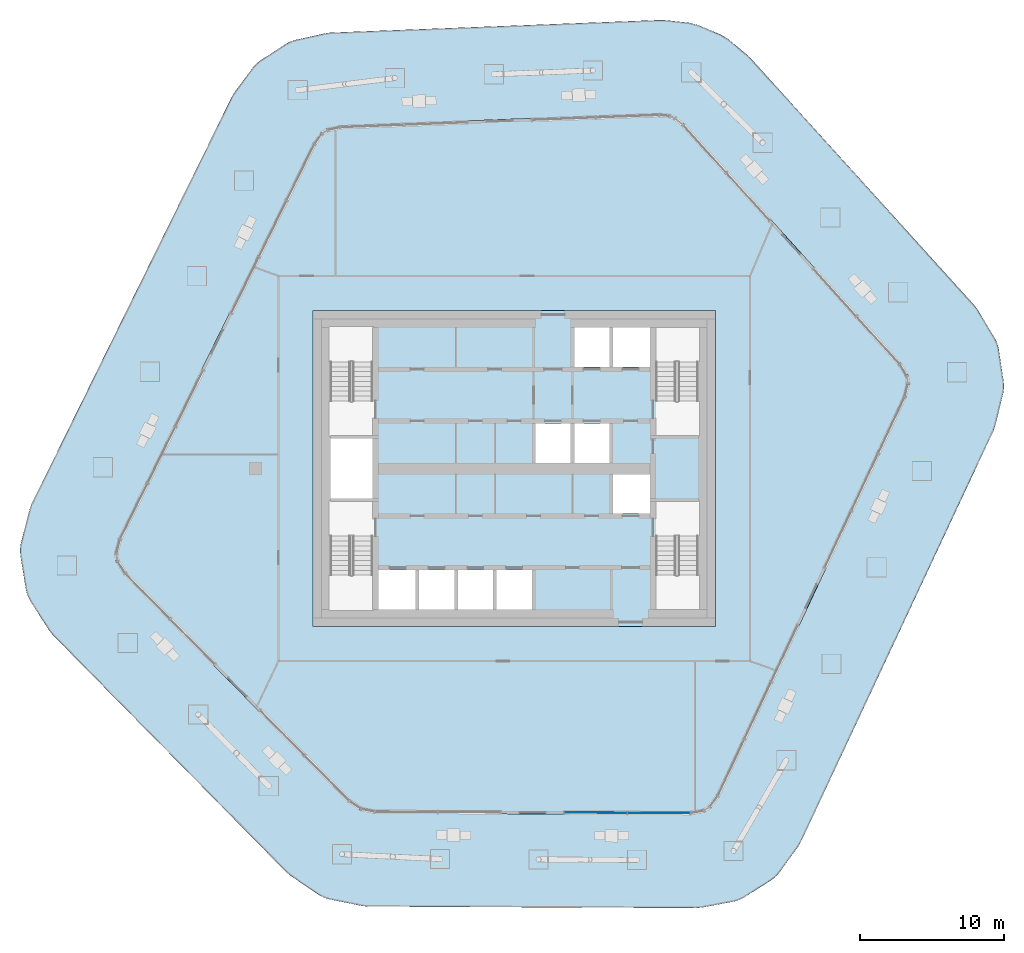
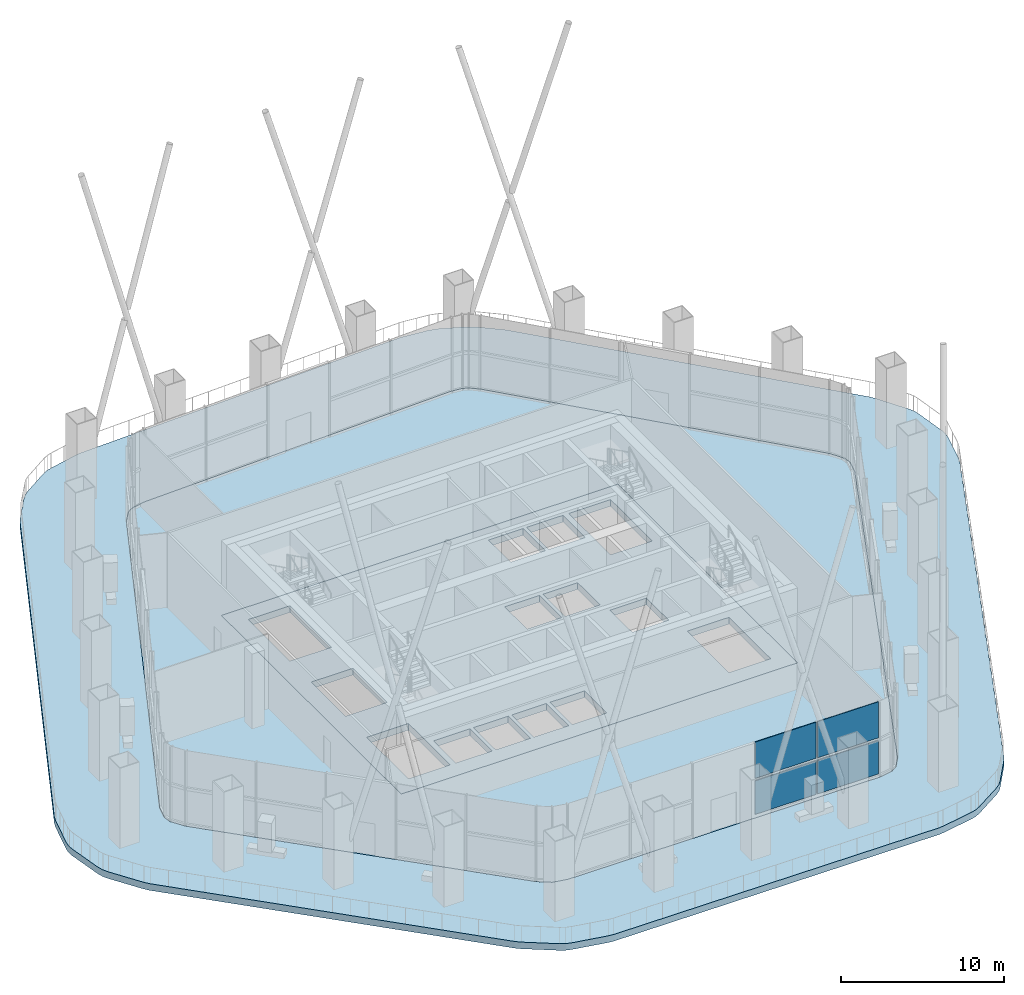
# One storey, part 8 of 20: 4 plates, 3 slabs, 1 element without a shape of its own.
"""IFC4 building model written with IfcOpenShell, lengths in metres."""

from ifc_helpers import new_model, si_unit, direction, frame, origin, origin_2d, place, context, subcontext, project, spatial, polyline, rectangle, outline, extrude, material, layer, layer_set, type_object, element, aggregate, save


model = new_model("IFC4")

# Units and contexts
model_context = context("Model", 3, precision=1e-05, world=origin(), true_north=direction((0.0, 1.0)))
body_context = subcontext(model_context, "Body", "Model", "MODEL_VIEW")
ifc_project = project(units=[si_unit("LENGTHUNIT", "METRE"), si_unit("AREAUNIT", "SQUARE_METRE"), si_unit("VOLUMEUNIT", "CUBIC_METRE"), si_unit("PLANEANGLEUNIT", "RADIAN"), si_unit("MASSUNIT", "GRAM", prefix="KILO")], contexts=[model_context])

# Site, building, storey
site_placement = place(None, origin())
site = spatial("IfcSite", under=ifc_project, at=site_placement, CompositionType="ELEMENT")
building_placement = place(site_placement, origin())
building = spatial("IfcBuilding", under=site, at=building_placement, Name="Dongbaek Canopy Tower", CompositionType="ELEMENT")
storey_placement = place(building_placement, frame((0.0, 0.0, 353.0)))
storey = spatial("IfcBuildingStorey", under=building, at=storey_placement, Name="L76", CompositionType="ELEMENT", Elevation=353.0)

# Curtain wall, plates
ifc_material_1 = material(Name="Aluminium 6063-T6 pale anodised", Category="aluminium")
ifc_layer_1 = layer(ifc_material_1, 0.300048828125)
ifc_layer_set_1 = layer_set([ifc_layer_1], Name="CW-5 observation lounge curtain wall")
curtain_wall_type = type_object("IfcCurtainWallType", Name="CW-5 observation lounge curtain wall", PredefinedType="NOTDEFINED", material=ifc_layer_set_1)
curtain_wall_placement = place(storey_placement, origin())
curtain_wall = element("IfcCurtainWall", 1, at=curtain_wall_placement, inside=storey, type_object=curtain_wall_type, Name="CW-5 curtain wall F4.2", PredefinedType="NOTDEFINED")
ifc_material_2 = material(Name="Clear laminated glass", Category="glass")
ifc_layer_2 = layer(ifc_material_2, 0.0400390625)
ifc_layer_set_2 = layer_set([ifc_layer_2], Name="CW-5 glazed panel 40")
plate_type = type_object("IfcPlateType", Name="CW-5 glazed panel 40", PredefinedType="CURTAIN_PANEL", material=ifc_layer_set_2)
plate_1_placement = place(storey_placement, frame((5.673095703125, -23.943359375, 0.199951171875), z_axis=(0.0, 0.0, 1.0), x_axis=(0.999990026875, -0.0044661113, 0.0)))
plate_1 = element("IfcPlate", 2, at=plate_1_placement, type_object=plate_type, Name="CW-5 panel F4.2.1.1", PredefinedType="CURTAIN_PANEL", context=body_context, shape_type="SweptSolid", body=[
    extrude(rectangle(XDim=4.291259765625, YDim=0.0400390625, at=origin_2d()), origin(), (0.0, 0.0, 1.0), 2.5),
])
plate_2_placement = place(storey_placement, frame((5.673095703125, -23.943359375, 2.89990234375), z_axis=(0.0, 0.0, 1.0), x_axis=(0.999990026875, -0.0044661113, 0.0)))
plate_2 = element("IfcPlate", 3, at=plate_2_placement, type_object=plate_type, Name="CW-5 panel F4.2.1.2", PredefinedType="CURTAIN_PANEL", context=body_context, shape_type="SweptSolid", body=[
    extrude(rectangle(XDim=4.291259765625, YDim=0.0400390625, at=origin_2d()), origin(), (0.0, 0.0, 1.0), 2.699951171875),
])
plate_3_placement = place(storey_placement, frame((10.063720703125, -23.962890625, 0.199951171875), z_axis=(0.0, 0.0, 1.0), x_axis=(0.999990026875, -0.0044661113, 0.0)))
plate_3 = element("IfcPlate", 4, at=plate_3_placement, type_object=plate_type, Name="CW-5 panel F4.2.2.1", PredefinedType="CURTAIN_PANEL", context=body_context, shape_type="SweptSolid", body=[
    extrude(rectangle(XDim=4.28173828125, YDim=0.0400390625, at=origin_2d()), origin(), (0.0, 0.0, 1.0), 2.5),
])
plate_4_placement = place(storey_placement, frame((10.063720703125, -23.962890625, 2.89990234375), z_axis=(0.0, 0.0, 1.0), x_axis=(0.999990026875, -0.0044661113, 0.0)))
plate_4 = element("IfcPlate", 5, at=plate_4_placement, type_object=plate_type, Name="CW-5 panel F4.2.2.2", PredefinedType="CURTAIN_PANEL", context=body_context, shape_type="SweptSolid", body=[
    extrude(rectangle(XDim=4.28173828125, YDim=0.0400390625, at=origin_2d()), origin(), (0.0, 0.0, 1.0), 2.699951171875),
])
aggregate(curtain_wall, [plate_1, plate_2, plate_3, plate_4])

# Slabs
ifc_material_3 = material(Name="Concrete C40/50", Category="concrete")
ifc_layer_3 = layer(ifc_material_3, 0.5)
ifc_layer_set_3 = layer_set([ifc_layer_3], Name="Core floor slab 500 Concrete C40/50")
slab_type_1 = type_object("IfcSlabType", Name="Core floor slab 500 Concrete C40/50", PredefinedType="FLOOR", material=ifc_layer_set_3)
slab_1_placement = place(storey_placement, frame((0.0, 0.0, -0.5)))
element("IfcSlab", 6, at=slab_1_placement, inside=storey, type_object=slab_type_1, Name="Core floor slab L76", PredefinedType="FLOOR", context=body_context, shape_type="SweptSolid", body=[
    extrude(outline(polyline([(14.0, -11.0), (14.0, 11.0), (-14.0, 11.0), (-14.0, -11.0), (14.0, -11.0)]), holes=[polyline([(-12.800048828125, 2.10009765625), (-9.85009765625, 2.10009765625), (-9.85009765625, -2.10009765625), (-12.800048828125, -2.10009765625), (-12.800048828125, 2.10009765625)]), polyline([(6.625, 9.800048828125), (6.625, 7.074951171875), (4.175048828125, 7.074951171875), (4.175048828125, 9.800048828125), (6.625, 9.800048828125)]), polyline([(9.449951171875, 7.074951171875), (6.875, 7.074951171875), (6.875, 9.800048828125), (9.449951171875, 9.800048828125), (9.449951171875, 7.074951171875)]), polyline([(1.47509765625, 0.39990234375), (1.47509765625, 3.125), (3.925048828125, 3.125), (3.925048828125, 0.39990234375), (1.47509765625, 0.39990234375)]), polyline([(4.175048828125, 0.39990234375), (4.175048828125, 3.125), (6.625, 3.125), (6.625, 0.39990234375), (4.175048828125, 0.39990234375)]), polyline([(9.449951171875, -3.125), (6.875, -3.125), (6.875, -0.39990234375), (9.449951171875, -0.39990234375), (9.449951171875, -3.125)]), polyline([(-9.449951171875, -7.074951171875), (-6.875, -7.074951171875), (-6.875, -9.800048828125), (-9.449951171875, -9.800048828125), (-9.449951171875, -7.074951171875)]), polyline([(-6.625, -9.800048828125), (-6.625, -7.074951171875), (-4.175048828125, -7.074951171875), (-4.175048828125, -9.800048828125), (-6.625, -9.800048828125)]), polyline([(-3.925048828125, -9.800048828125), (-3.925048828125, -7.074951171875), (-1.47509765625, -7.074951171875), (-1.47509765625, -9.800048828125), (-3.925048828125, -9.800048828125)]), polyline([(-1.22509765625, -9.800048828125), (-1.22509765625, -7.074951171875), (1.22509765625, -7.074951171875), (1.22509765625, -9.800048828125), (-1.22509765625, -9.800048828125)]), polyline([(12.800048828125, 4.70068359375), (12.800048828125, 9.800048828125), (9.85009765625, 9.800048828125), (9.85009765625, 4.70068359375), (12.800048828125, 4.70068359375)]), polyline([(-9.85009765625, 4.70068359375), (-9.85009765625, 9.800048828125), (-12.800048828125, 9.800048828125), (-12.800048828125, 4.70068359375), (-9.85009765625, 4.70068359375)]), polyline([(9.85009765625, -4.70068359375), (9.85009765625, -9.800048828125), (12.800048828125, -9.800048828125), (12.800048828125, -4.70068359375), (9.85009765625, -4.70068359375)]), polyline([(-12.800048828125, -4.70068359375), (-12.800048828125, -9.800048828125), (-9.85009765625, -9.800048828125), (-9.85009765625, -4.70068359375), (-12.800048828125, -4.70068359375)])]), origin(), (0.0, 0.0, 1.0), 0.5),
])
ifc_material_4 = material(Name="Concrete C40", Category="concrete")
ifc_layer_4 = layer(ifc_material_4, 0.5)
ifc_layer_set_4 = layer_set([ifc_layer_4], Name="RC DECK SLAB 500 Concrete C40")
slab_type_2 = type_object("IfcSlabType", Name="RC DECK SLAB 500 Concrete C40", PredefinedType="FLOOR", material=ifc_layer_set_4)
slab_2_placement = place(storey_placement, frame((0.0, 0.0, -0.5)))
element("IfcSlab", 7, at=slab_2_placement, inside=storey, type_object=slab_type_2, Name="DECK:L76", PredefinedType="FLOOR", context=body_context, shape_type="SweptSolid", body=[
    extrude(outline(polyline([(19.94482421875, -25.9677734375), (19.752685546875, -26.293701171875), (18.425048828125, -28.1240234375), (18.1748046875, -28.407958984375), (17.87548828125, -28.6396484375), (15.965087890625, -29.8486328125), (15.62744140625, -30.02001953125), (15.263671875, -30.12451171875), (13.041259765625, -30.54052734375), (12.664306640625, -30.57470703125), (-10.1845703125, -30.47265625), (-10.576171875, -30.43212890625), (-12.87890625, -29.96142578125), (-13.2548828125, -29.84521484375), (-13.600830078125, -29.657470703125), (-15.5458984375, -28.33837890625), (-15.848388671875, -28.08642578125), (-32.093505859375, -11.593017578125), (-32.35009765625, -11.272216796875), (-33.677490234375, -9.210205078125), (-33.86328125, -8.843505859375), (-33.97021484375, -8.447021484375), (-34.36181640625, -6.02587890625), (-34.385498046875, -5.61572265625), (-34.32470703125, -5.209228515625), (-33.715087890625, -2.833984375), (-33.572509765625, -2.448486328125), (-19.648681640625, 25.861083984375), (-19.462646484375, 26.1669921875), (-18.19140625, 27.8876953125), (-17.95361328125, 28.1552734375), (-17.672119140625, 28.37646484375), (-15.877685546875, 29.54150390625), (-15.561279296875, 29.708984375), (-15.22021484375, 29.817138671875), (-13.131103515625, 30.27880859375), (-12.77587890625, 30.324462890625), (10.17626953125, 31.20263671875), (10.466796875, 31.192626953125), (12.197021484375, 31.00634765625), (12.758544921875, 30.861083984375), (14.3623046875, 30.186279296875), (14.858642578125, 29.885986328125), (16.201416015625, 28.779296875), (16.411865234375, 28.57861328125), (32.006591796875, 11.358154296875), (32.239501953125, 11.04443359375), (33.439453125, 9.043701171875), (33.606689453125, 8.690673828125), (33.7021484375, 8.31201171875), (34.04833984375, 6.0048828125), (34.068115234375, 5.61474609375), (34.011962890625, 5.22802734375), (33.4521484375, 2.96337890625), (33.32177734375, 2.59521484375), (19.94482421875, -25.9677734375)]), holes=[polyline([(27.406494140625, 6.46533203125), (26.892333984375, 7.322509765625), (11.81396484375, 23.97216796875), (11.2333984375, 24.450927734375), (10.84521484375, 24.6142578125), (10.096923828125, 24.69482421875), (-12.123291015625, 23.8447265625), (-13.021484375, 23.646240234375), (-13.447998046875, 23.369140625), (-13.99462890625, 22.62939453125), (-27.53466796875, -4.900146484375), (-27.79541015625, -5.91552734375), (-27.70361328125, -6.481689453125), (-27.13623046875, -7.36279296875), (-11.52978515625, -23.208251953125), (-10.69677734375, -23.773193359375), (-9.710693359375, -23.974609375), (12.265625, -24.07275390625), (13.218994140625, -23.894287109375), (13.67041015625, -23.608642578125), (14.239990234375, -22.823486328125), (27.248046875, 4.951904296875), (27.48779296875, 5.922119140625), (27.406494140625, 6.46533203125)])]), origin(), (0.0, 0.0, 1.0), 0.5),
])
ifc_material_5 = material(Name="Concrete C40", Category="concrete")
ifc_layer_5 = layer(ifc_material_5, 0.5)
ifc_layer_set_5 = layer_set([ifc_layer_5], Name="RC FLAT PLATE 500 Concrete C40")
slab_type_3 = type_object("IfcSlabType", Name="RC FLAT PLATE 500 Concrete C40", PredefinedType="FLOOR", material=ifc_layer_set_5)
slab_3_placement = place(storey_placement, frame((0.0, 0.0, -0.5)))
element("IfcSlab", 8, at=slab_3_placement, inside=storey, type_object=slab_type_3, Name="SLAB:L76", PredefinedType="FLOOR", context=body_context, shape_type="SweptSolid", body=[
    extrude(outline(polyline([(27.248046875, 4.951904296875), (14.239990234375, -22.823486328125), (13.67041015625, -23.608642578125), (13.218994140625, -23.894287109375), (12.265625, -24.07275390625), (-9.710693359375, -23.974609375), (-10.69677734375, -23.773193359375), (-11.52978515625, -23.208251953125), (-27.13623046875, -7.36279296875), (-27.70361328125, -6.481689453125), (-27.79541015625, -5.91552734375), (-27.53466796875, -4.900146484375), (-13.99462890625, 22.62939453125), (-13.447998046875, 23.369140625), (-13.021484375, 23.646240234375), (-12.123291015625, 23.8447265625), (10.096923828125, 24.69482421875), (10.84521484375, 24.6142578125), (11.2333984375, 24.450927734375), (11.81396484375, 23.97216796875), (26.892333984375, 7.322509765625), (27.406494140625, 6.46533203125), (27.48779296875, 5.922119140625), (27.248046875, 4.951904296875)]), holes=[polyline([(14.0, 11.0), (-14.0, 11.0), (-14.0, -11.0), (14.0, -11.0), (14.0, 11.0)])]), origin(), (0.0, 0.0, 1.0), 0.5),
])

save(model, "model.ifc")
